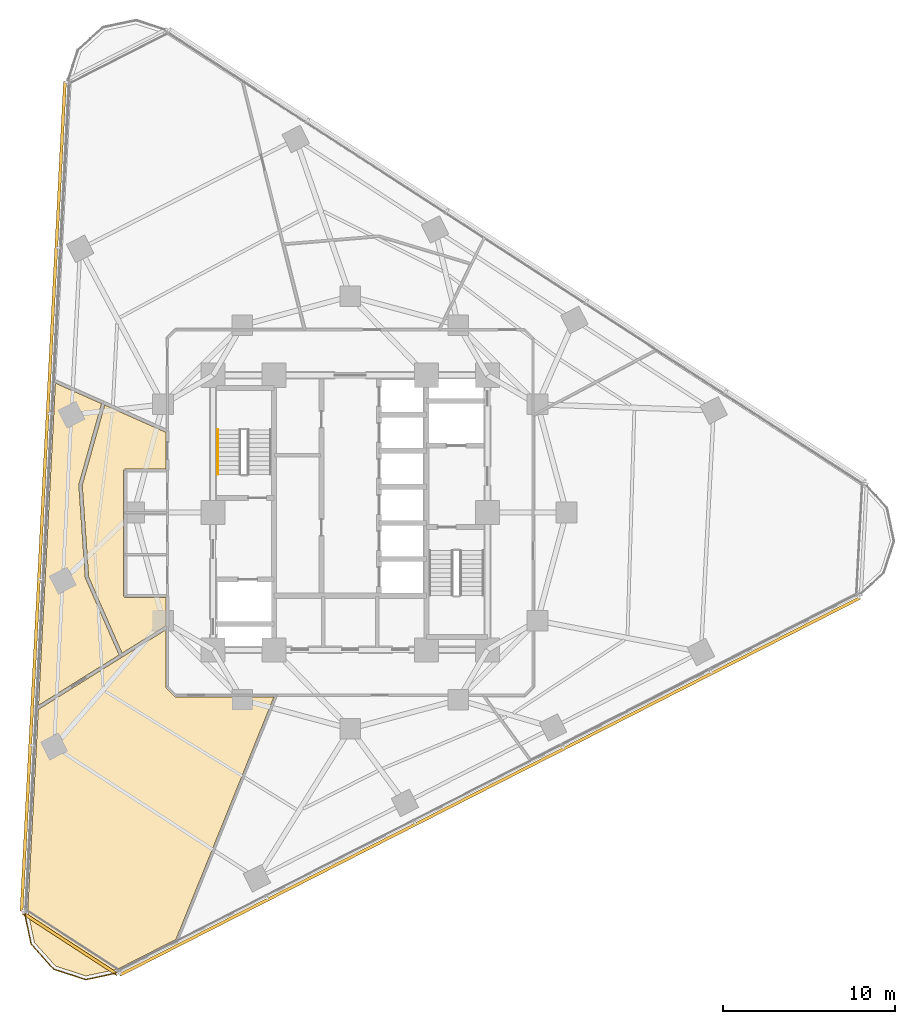
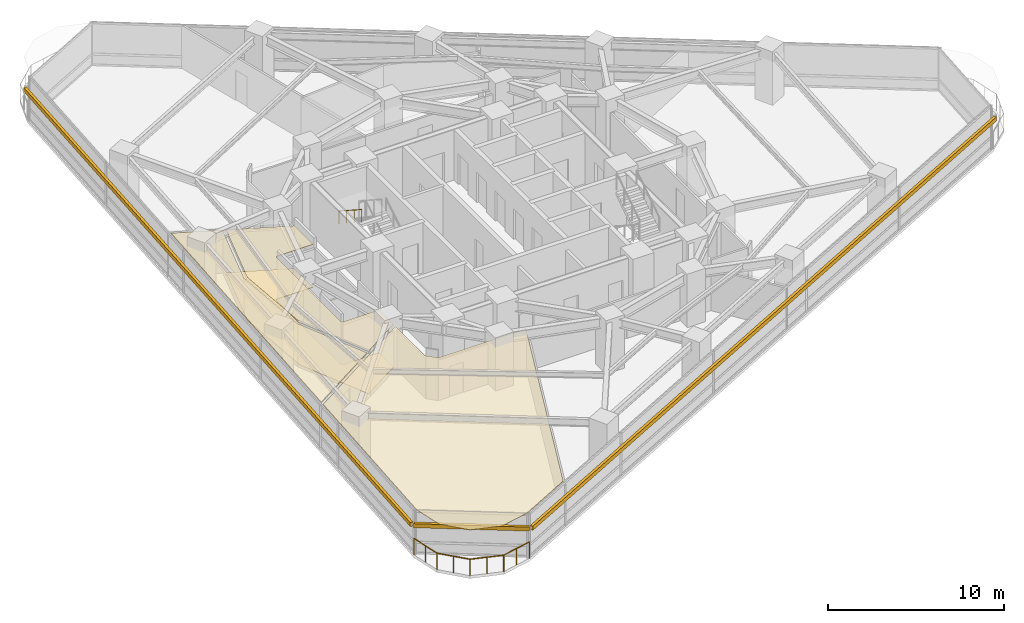
# One storey, part 12 of 14: 4 coverings, 3 shading devices, 2 railings.
"""IFC4 building model written with IfcOpenShell, lengths in metres."""

from ifc_helpers import new_model, si_unit, direction, frame, origin, origin_2d, place, context, subcontext, project, spatial, polyline, rectangle, circle, outline, extrude, material, layer, layer_set, type_object, element, save


model = new_model("IFC4")

# Units and contexts
model_context = context("Model", 3, precision=1e-05, world=origin(), true_north=direction((0.0, 1.0)))
body_context = subcontext(model_context, "Body", "Model", "MODEL_VIEW")
ifc_project = project(units=[si_unit("LENGTHUNIT", "METRE"), si_unit("AREAUNIT", "SQUARE_METRE"), si_unit("VOLUMEUNIT", "CUBIC_METRE"), si_unit("PLANEANGLEUNIT", "RADIAN"), si_unit("MASSUNIT", "GRAM", prefix="KILO")], contexts=[model_context])

# Site, building, storey
site_placement = place(None, origin())
site = spatial("IfcSite", under=ifc_project, at=site_placement, CompositionType="ELEMENT")
building_placement = place(site_placement, origin())
building = spatial("IfcBuilding", under=site, at=building_placement, Name="Terralouvre Media Tower", CompositionType="ELEMENT")
storey_placement = place(building_placement, frame((0.0, 0.0, 134.699951171875)))
storey = spatial("IfcBuildingStorey", under=building, at=storey_placement, Name="L34", CompositionType="ELEMENT", Elevation=134.699951171875)

# Coverings
ifc_material_1 = material(Name="Resilient elastomer acoustic broadcast studio flooring")
ifc_layer_1 = layer(ifc_material_1, 0.050048828125, Name="Broadcast Studio Acoustic Floating Floor FL-AC1")
ifc_layer_set_1 = layer_set([ifc_layer_1], Name="Resilient elastomer acoustic broadcast studio flooring")
covering_type_1 = type_object("IfcCoveringType", Name="Broadcast Studio Acoustic Floating Floor FL-AC1", PredefinedType="FLOORING", material=ifc_layer_set_1)
covering_1_placement = place(storey_placement, frame((0.0, 0.0, 0.0), z_axis=(0.0, 0.0, 1.0), x_axis=(0.891006524188, 0.45399049974, 0.0)))
element("IfcCovering", 1, at=covering_1_placement, inside=storey, type_object=covering_type_1, Name="L34 Audio Digitisation Control Room 1 Acoustic Floating Floor", PredefinedType="FLOORING", context=body_context, shape_type="SweptSolid", body=[
    extrude(outline(polyline([(-13.1904296875, 8.51171875), (-15.2861328125, 3.575927734375), (-15.567626953125, -1.261962890625), (-12.574462890625, -1.0), (-11.82568359375, 0.469970703125), (-13.91943359375, 1.536865234375), (-13.927978515625, 1.541748046875), (-13.93603515625, 1.54736328125), (-13.943359375, 1.5537109375), (-13.9501953125, 1.56103515625), (-13.9560546875, 1.568603515625), (-13.96142578125, 1.5771484375), (-13.965576171875, 1.585693359375), (-13.96923828125, 1.594970703125), (-13.9716796875, 1.6044921875), (-13.973388671875, 1.614013671875), (-13.97412109375, 1.6240234375), (-13.973876953125, 1.6337890625), (-13.972412109375, 1.6435546875), (-13.97021484375, 1.653076171875), (-13.967041015625, 1.662353515625), (-13.963134765625, 1.67138671875), (-10.64892578125, 8.175537109375), (-10.64404296875, 8.18408203125), (-10.638427734375, 8.192138671875), (-10.632080078125, 8.199462890625), (-10.624755859375, 8.206298828125), (-10.6171875, 8.212158203125), (-10.608642578125, 8.217529296875), (-10.60009765625, 8.221923828125), (-10.5908203125, 8.225341796875), (-10.581298828125, 8.227783203125), (-10.57177734375, 8.2294921875), (-10.561767578125, 8.230224609375), (-10.552001953125, 8.22998046875), (-10.542236328125, 8.228759765625), (-10.53271484375, 8.2265625), (-10.5234375, 8.223388671875), (-10.514404296875, 8.21923828125), (-8.420654296875, 7.15234375), (-7.455078125, 9.047607421875), (-9.90673828125, 12.0751953125), (-13.1904296875, 8.51171875)])), origin(), (0.0, 0.0, 1.0), 0.050048828125),
])
ifc_material_2 = material(Name="Perforated aluminium acoustic ceiling baffle", Category="aluminium")
ifc_layer_2 = layer(ifc_material_2, 0.0400390625, Name="Perforated Acoustic Metal Tile Ceiling CL-AC1")
ifc_layer_set_2 = layer_set([ifc_layer_2], Name="Perforated aluminium acoustic ceiling baffle")
covering_type_2 = type_object("IfcCoveringType", Name="Perforated Acoustic Metal Tile Ceiling CL-AC1", PredefinedType="CEILING", material=ifc_layer_set_2)
covering_2_placement = place(storey_placement, frame((0.0, 0.0, 2.97998046875), z_axis=(0.0, 0.0, 1.0), x_axis=(0.891006524188, 0.45399049974, 0.0)))
element("IfcCovering", 2, at=covering_2_placement, inside=storey, type_object=covering_type_2, Name="L34 Audio Digitisation Control Room 1 Acoustic Ceiling", PredefinedType="CEILING", context=body_context, shape_type="SweptSolid", body=[
    extrude(outline(polyline([(-13.1904296875, 8.51171875), (-15.2861328125, 3.575927734375), (-15.567626953125, -1.261962890625), (-12.574462890625, -1.0), (-11.82568359375, 0.469970703125), (-13.91943359375, 1.536865234375), (-13.927978515625, 1.541748046875), (-13.93603515625, 1.54736328125), (-13.943359375, 1.5537109375), (-13.9501953125, 1.56103515625), (-13.9560546875, 1.568603515625), (-13.96142578125, 1.5771484375), (-13.965576171875, 1.585693359375), (-13.96923828125, 1.594970703125), (-13.9716796875, 1.6044921875), (-13.973388671875, 1.614013671875), (-13.97412109375, 1.6240234375), (-13.973876953125, 1.6337890625), (-13.972412109375, 1.6435546875), (-13.97021484375, 1.653076171875), (-13.967041015625, 1.662353515625), (-13.963134765625, 1.67138671875), (-10.64892578125, 8.175537109375), (-10.64404296875, 8.18408203125), (-10.638427734375, 8.192138671875), (-10.632080078125, 8.199462890625), (-10.624755859375, 8.206298828125), (-10.6171875, 8.212158203125), (-10.608642578125, 8.217529296875), (-10.60009765625, 8.221923828125), (-10.5908203125, 8.225341796875), (-10.581298828125, 8.227783203125), (-10.57177734375, 8.2294921875), (-10.561767578125, 8.230224609375), (-10.552001953125, 8.22998046875), (-10.542236328125, 8.228759765625), (-10.53271484375, 8.2265625), (-10.5234375, 8.223388671875), (-10.514404296875, 8.21923828125), (-8.420654296875, 7.15234375), (-7.455078125, 9.047607421875), (-9.90673828125, 12.0751953125), (-13.1904296875, 8.51171875)])), origin(), (0.0, 0.0, 1.0), 0.0400390625),
])
covering_3_placement = place(storey_placement, frame((0.0, 0.0, 2.97998046875), z_axis=(0.0, 0.0, 1.0), x_axis=(0.891006524188, 0.45399049974, 0.0)))
element("IfcCovering", 3, at=covering_3_placement, inside=storey, type_object=covering_type_2, Name="L34 Classical and Jazz Listening Library 2 Acoustic Ceiling", PredefinedType="CEILING", context=body_context, shape_type="SweptSolid", body=[
    extrude(outline(polyline([(-15.48486328125, 3.604736328125), (-15.483642578125, 3.6162109375), (-15.48095703125, 3.627197265625), (-15.47705078125, 3.637939453125), (-13.367919921875, 8.60595703125), (-13.36279296875, 8.6162109375), (-13.3564453125, 8.625732421875), (-13.349365234375, 8.634521484375), (-10.033935546875, 12.232421875), (-11.88525390625, 14.517578125), (-21.28466796875, -1.761474609375), (-15.768798828125, -1.279541015625), (-15.48486328125, 3.604736328125)])), origin(), (0.0, 0.0, 1.0), 0.0400390625),
])
covering_4_placement = place(storey_placement, frame((0.0, 0.0, 2.97998046875), z_axis=(0.0, 0.0, 1.0), x_axis=(0.891006524188, 0.45399049974, 0.0)))
element("IfcCovering", 4, at=covering_4_placement, inside=storey, type_object=covering_type_2, Name="L34 Arts Critique Seminar Room 3 Acoustic Ceiling", PredefinedType="CEILING", context=body_context, shape_type="SweptSolid", body=[
    extrude(outline(polyline([(-13.924072265625, -4.97021484375), (-13.9326171875, -4.96533203125), (-13.940673828125, -4.959716796875), (-13.947998046875, -4.953369140625), (-13.954833984375, -4.946044921875), (-13.960693359375, -4.9384765625), (-13.966064453125, -4.929931640625), (-13.97021484375, -4.92138671875), (-13.973876953125, -4.912109375), (-14.1923828125, -4.239501953125), (-14.19482421875, -4.230224609375), (-14.196533203125, -4.220458984375), (-14.197265625, -4.210693359375), (-14.197021484375, -4.200927734375), (-14.195556640625, -4.191162109375), (-14.193603515625, -4.181640625), (-14.1904296875, -4.17236328125), (-14.186279296875, -4.163330078125), (-12.681640625, -1.2099609375), (-15.665283203125, -1.47119140625), (-21.40673828125, -1.97265625), (-27.285400390625, -12.15673828125), (-27.771728515625, -13.9716796875), (-27.293212890625, -15.7578125), (-25.986328125, -17.06494140625), (-24.17041015625, -17.5517578125), (-20.343505859375, -17.55224609375), (-8.846435546875, -7.557373046875), (-13.924072265625, -4.97021484375)])), origin(), (0.0, 0.0, 1.0), 0.0400390625),
])

# Railings
ifc_material_3 = material(Name="Stainless steel 316 handrail and balustrade", Category="steel")
ifc_layer_3 = layer(ifc_material_3, 0.06005859375, Name="Roof Edge Safety Guardrail GR-ROOF1")
ifc_layer_set_3 = layer_set([ifc_layer_3], Name="Stainless steel 316 handrail and balustrade")
railing_type_1 = type_object("IfcRailingType", Name="Roof Edge Safety Guardrail GR-ROOF1", PredefinedType="GUARDRAIL", material=ifc_layer_set_3)
railing_1_placement = place(storey_placement, frame((-19.004638671875, -23.22509765625, 0.0)))
element("IfcRailing", 5, at=railing_1_placement, inside=storey, type_object=railing_type_1, Name="L34 Wind-Corner Perimeter Safety Guardrail C0", PredefinedType="GUARDRAIL", context=body_context, shape_type="SweptSolid", body=[
    extrude(circle(Radius=0.02099609375, at=origin_2d()), frame((0.0, 0.0, 1.12890625), z_axis=(0.20770581411, -0.978191338535, 0.0), x_axis=(0.978191338535, 0.20770581411, 0.0)), (0.0, 0.0, 1.0), 1.966552734375),
    extrude(circle(Radius=0.02099609375, at=origin_2d()), frame((0.408447265625, -1.923583984375, 1.12890625), z_axis=(0.669067634628, -0.743201520648, 0.0), x_axis=(0.743201520648, 0.669067634628, 0.0)), (0.0, 0.0, 1.0), 1.966064453125),
    extrude(circle(Radius=0.02099609375, at=origin_2d()), frame((1.723876953125, -3.384765625, 1.12890625), z_axis=(0.951088800654, -0.308917615669, 0.0), x_axis=(0.308917615669, 0.951088800654, 0.0)), (0.0, 0.0, 1.0), 1.96630859375),
    extrude(circle(Radius=0.02099609375, at=origin_2d()), frame((3.593994140625, -3.9921875, 1.12890625), z_axis=(0.978110230454, 0.208087426535, 0.0), x_axis=(-0.208087426535, 0.978110230454, 0.0)), (0.0, 0.0, 1.0), 1.96630859375),
    extrude(circle(Radius=0.01904296875, at=origin_2d()), origin(), (0.0, 0.0, 1.0), 1.10791015625),
    extrude(circle(Radius=0.01904296875, at=origin_2d()), frame((0.2041015625, -0.9619140625, 0.0)), (0.0, 0.0, 1.0), 1.10791015625),
    extrude(circle(Radius=0.01904296875, at=origin_2d()), frame((0.408447265625, -1.923583984375, 0.0)), (0.0, 0.0, 1.0), 1.10791015625),
    extrude(circle(Radius=0.01904296875, at=origin_2d()), frame((1.066162109375, -2.654296875, 0.0)), (0.0, 0.0, 1.0), 1.10791015625),
    extrude(circle(Radius=0.01904296875, at=origin_2d()), frame((1.723876953125, -3.384765625, 0.0)), (0.0, 0.0, 1.0), 1.10791015625),
    extrude(circle(Radius=0.01904296875, at=origin_2d()), frame((2.658935546875, -3.6884765625, 0.0)), (0.0, 0.0, 1.0), 1.10791015625),
    extrude(circle(Radius=0.01904296875, at=origin_2d()), frame((3.593994140625, -3.9921875, 0.0)), (0.0, 0.0, 1.0), 1.10791015625),
    extrude(circle(Radius=0.01904296875, at=origin_2d()), frame((4.5556640625, -3.78759765625, 0.0)), (0.0, 0.0, 1.0), 1.10791015625),
    extrude(circle(Radius=0.01904296875, at=origin_2d()), frame((5.517333984375, -3.5830078125, 0.0)), (0.0, 0.0, 1.0), 1.10791015625),
])
ifc_material_4 = material(Name="Stainless steel 316 handrail and balustrade", Category="steel")
ifc_layer_4 = layer(ifc_material_4, 0.050048828125, Name="Stair Flight Wall Handrail HR-INT1")
ifc_layer_set_4 = layer_set([ifc_layer_4], Name="Stainless steel 316 handrail and balustrade")
railing_type_2 = type_object("IfcRailingType", Name="Stair Flight Wall Handrail HR-INT1", PredefinedType="HANDRAIL", material=ifc_layer_set_4)
railing_2_placement = place(storey_placement, frame((-7.72998046875, 4.820068359375, 2.018310546875)))
element("IfcRailing", 6, at=railing_2_placement, inside=storey, type_object=railing_type_2, Name="L34 ST-01 stair handrail 2", PredefinedType="HANDRAIL", context=body_context, shape_type="SweptSolid", body=[
    extrude(circle(Radius=0.02392578125, at=origin_2d()), frame((0.0, 0.0, 0.8759765625), z_axis=(0.0, -0.839684365666, 0.543074733399), x_axis=(1.0, 0.0, 0.0)), (0.0, 0.0, 1.0), 3.096435546875),
    extrude(circle(Radius=0.02099609375, at=origin_2d()), origin(), (0.0, 0.0, 1.0), 0.851806640625),
    extrude(circle(Radius=0.02099609375, at=origin_2d()), frame((0.0, -0.86669921875, 0.560546875)), (0.0, 0.0, 1.0), 0.851806640625),
    extrude(circle(Radius=0.02099609375, at=origin_2d()), frame((0.0, -1.7333984375, 1.12109375)), (0.0, 0.0, 1.0), 0.851806640625),
    extrude(circle(Radius=0.02099609375, at=origin_2d()), frame((0.0, -2.60009765625, 1.681640625)), (0.0, 0.0, 1.0), 0.851806640625),
])

# Shading devices
ifc_material_5 = material(Name="Extruded terracotta baguette sunshade louvres", Category="masonry")
shading_device_type = type_object("IfcShadingDeviceType", Name="Terracotta Baguette Sunshade Louvre Screen TB-LV1", PredefinedType="USERDEFINED", material=ifc_material_5)
for number, where, z_axis, x_axis, name in (
    (7, (8.1318359375, -15.959716796875, 2.02392578125), (0.0, 0.0, 1.0), (0.891006501178, 0.4539905449, 0.0), "CW-L34-F0 Terracotta Baguette Sunshade Louvre"),
    (8, (-17.887451171875, 0.9375, 2.02392578125), (0.0, 0.0, 1.0), (-0.052335949864, -0.998629535089, 0.0), "CW-L34-F2 Terracotta Baguette Sunshade Louvre"),
):
    element("IfcShadingDevice", number, at=place(storey_placement, frame(where, z_axis=z_axis, x_axis=x_axis)), inside=storey, type_object=shading_device_type, Name=name, ObjectType="BAGUETTE", PredefinedType="USERDEFINED", context=body_context, shape_type="SweptSolid", body=[
        extrude(rectangle(XDim=48.39990234375, YDim=0.179931640625, at=origin_2d()), origin(), (0.0, 0.0, 1.0), 0.280029296875),
    ])
shading_device_placement = place(storey_placement, frame((-16.3193359375, -25.129638671875, 2.02392578125), z_axis=(0.0, 0.0, 1.0), x_axis=(0.838670390568, -0.544639308152, 0.0)))
element("IfcShadingDevice", 9, at=shading_device_placement, inside=storey, type_object=shading_device_type, Name="CW-L34-C0 Terracotta Baguette Sunshade Louvre", ObjectType="BAGUETTE", PredefinedType="USERDEFINED", context=body_context, shape_type="SweptSolid", body=[
    extrude(rectangle(XDim=6.581787109375, YDim=0.179931640625, at=origin_2d()), origin(), (0.0, 0.0, 1.0), 0.280029296875),
])

save(model, "model.ifc")
